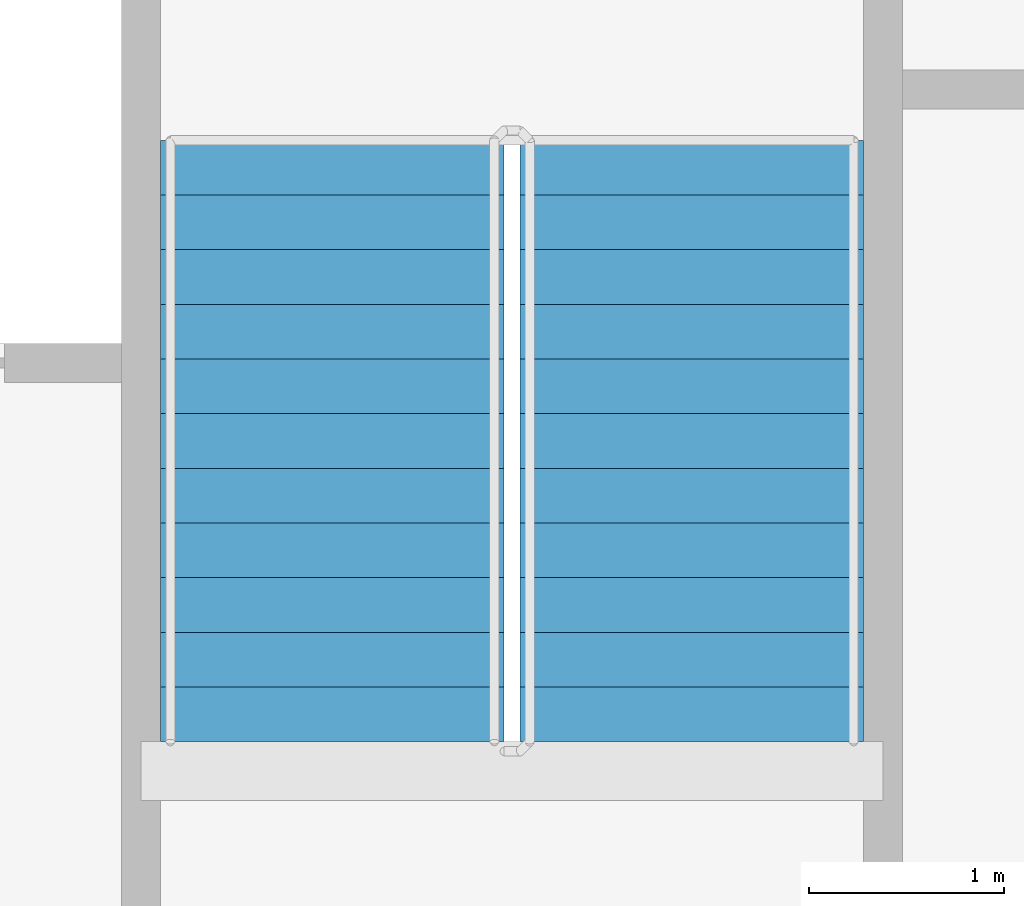
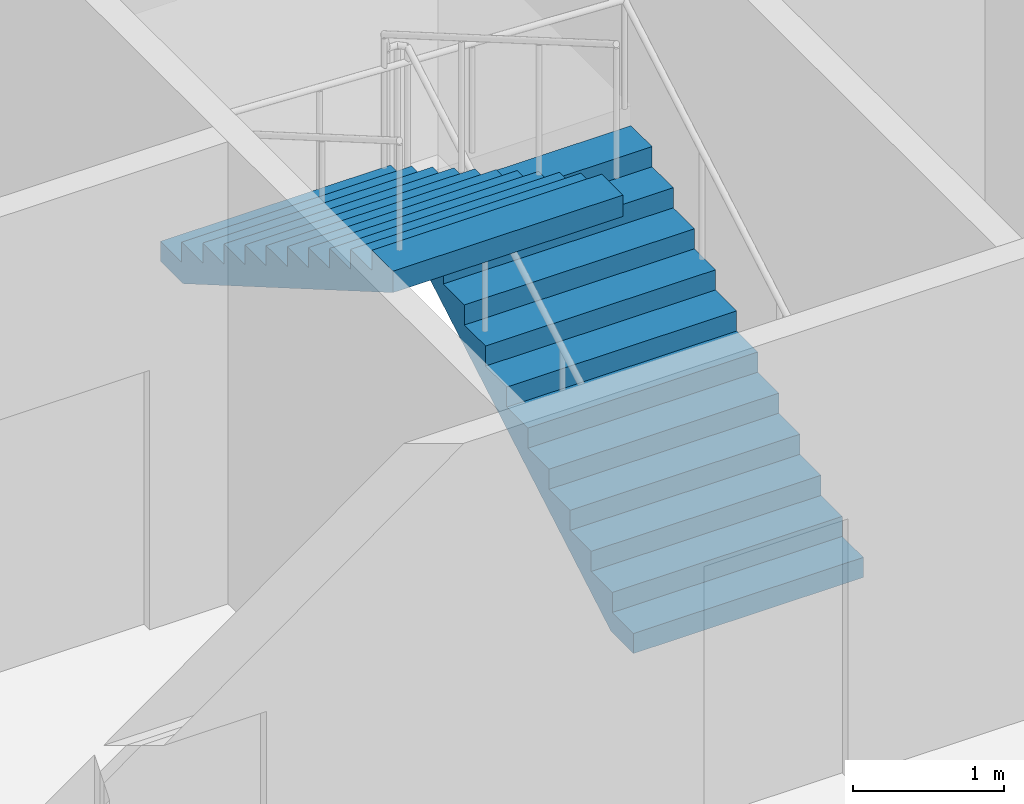
# One storey, part 17 of 22: 2 stair flights, 1 element without a shape of its own.
"""IFC4 building model written with IfcOpenShell, lengths in metres."""

import ifcopenshell
import ifcopenshell.guid

model = None  # the IFC model being written
_history = None  # IfcOwnerHistory: only IFC2X3 demands one
_inside = {}  # id of a spatial element -> (the spatial element, [elements in it])
_under = {}  # id of a project, library or spatial element -> (it, [spatial elements below it])
_declared = {}  # id of a project -> (the project, [libraries it declares])
_typed = {}  # id of a type object -> (the type object, [elements of that type])
_made_of = {}  # id of a material, layer set ... -> (it, [elements and type objects made of it])


def new_model(schema):
    """Start an empty IFC model of exactly this schema.

    Asked for "IFC4X3", IfcOpenShell would pick the latest addendum, in which some entities
    have other attributes; the version numbers below select the first issue.
    IFC2X3 requires an IfcOwnerHistory on every rooted entity: one is made here for all.
    """
    global model, _history
    if schema == "IFC4X3":
        model = ifcopenshell.file(schema_version=(4, 3, 0, 0))
    else:
        model = ifcopenshell.file(schema=schema)
    _inside.clear()
    _under.clear()
    _declared.clear()
    _typed.clear()
    _made_of.clear()
    _history = None
    if model.schema == "IFC2X3":
        org = make("IfcOrganization", Name="unknown")
        user = make(
            "IfcPersonAndOrganization",
            ThePerson=make("IfcPerson", FamilyName="unknown"),
            TheOrganization=org,
        )
        app = make(
            "IfcApplication",
            ApplicationDeveloper=org,
            Version="unknown",
            ApplicationFullName="unknown",
            ApplicationIdentifier="unknown",
        )
        _history = make(
            "IfcOwnerHistory",
            OwningUser=user,
            OwningApplication=app,
            ChangeAction="ADDED",
            CreationDate=0,
        )
    return model


def make(cls, **values):
    """One entity of the class cls with the attributes given. An attribute that is None is left unset."""
    return model.create_entity(
        cls, **{name: value for name, value in values.items() if value is not None}
    )


def rooted(cls, **values):
    """An entity with a GlobalId (a new one), such as an element, a storey or a relation."""
    return make(cls, GlobalId=ifcopenshell.guid.new(), OwnerHistory=_history, **values)


def si_unit(unit_type, name, prefix=None):
    """IfcSIUnit, for example si_unit("LENGTHUNIT", "METRE", prefix="MILLI")."""
    return make("IfcSIUnit", UnitType=unit_type, Prefix=prefix, Name=name)


def assignment(units):
    """IfcUnitAssignment: the units of a project."""
    return None if units is None else make("IfcUnitAssignment", Units=units)


def point(xyz):
    """IfcCartesianPoint."""
    return None if xyz is None else make("IfcCartesianPoint", Coordinates=xyz)


def direction(xyz):
    """IfcDirection."""
    return None if xyz is None else make("IfcDirection", DirectionRatios=xyz)


def frame(location, z_axis=None, x_axis=None):
    """IfcAxis2Placement3D, a coordinate frame: its origin and axes. An axis left out is left unset."""
    return make(
        "IfcAxis2Placement3D",
        Location=point(location),
        Axis=direction(z_axis),
        RefDirection=direction(x_axis),
    )


def origin():
    """The frame at (0, 0, 0) with its axes left unset."""
    return frame((0.0, 0.0, 0.0))


def place(relative_to, where):
    """IfcLocalPlacement: puts the frame where relative to a parent placement (None: the world)."""
    return make(
        "IfcLocalPlacement", PlacementRelTo=relative_to, RelativePlacement=where
    )


def context(
    kind, dimensions, precision=None, world=None, true_north=None, identifier=None
):
    """IfcGeometricRepresentationContext, for example the 3D "Model" context."""
    return make(
        "IfcGeometricRepresentationContext",
        ContextIdentifier=identifier,
        ContextType=kind,
        CoordinateSpaceDimension=dimensions,
        Precision=precision,
        WorldCoordinateSystem=world,
        TrueNorth=true_north,
    )


def subcontext(parent, identifier, kind, view, scale=None):
    """IfcGeometricRepresentationSubContext, for example "Body" below "Model"."""
    return make(
        "IfcGeometricRepresentationSubContext",
        ContextIdentifier=identifier,
        ContextType=kind,
        ParentContext=parent,
        TargetScale=scale,
        TargetView=view,
    )


def project(units=None, contexts=None):
    """IfcProject with its units and contexts."""
    return rooted(
        "IfcProject",
        Name="project",
        RepresentationContexts=contexts,
        UnitsInContext=assignment(units),
    )


def spatial(cls, under=None, at=None, **own):
    """A site, building, storey or space (cls), placed at a placement, below another one or the project."""
    s = rooted(cls, ObjectPlacement=at, **own)
    if under is not None:
        _under.setdefault(under.id(), (under, []))[1].append(s)
    return s


def faces_of(points, faces, orient=None, outer=None):
    """IfcFace entities. A face is a list of loops; a loop is a list of indices into points, from 0.

    orient and outer hold one flag for each loop. By default every Orientation is true, the
    first loop of a face is its IfcFaceOuterBound and the others are IfcFaceBound.
    """
    made = []
    for i, loops in enumerate(faces):
        bounds = []
        for j, loop in enumerate(loops):
            is_outer = j == 0 if outer is None else outer[i][j]
            bounds.append(
                make(
                    "IfcFaceOuterBound" if is_outer else "IfcFaceBound",
                    Bound=make("IfcPolyLoop", Polygon=[points[k] for k in loop]),
                    Orientation=True if orient is None else orient[i][j],
                )
            )
        made.append(make("IfcFace", Bounds=bounds))
    return made


def faceted_brep(points, faces, orient=None, outer=None, voids=None):
    """IfcFacetedBrep: a solid bounded by flat faces; with voids (closed shells), ...WithVoids."""
    shared = [point(p) for p in points]
    hull = make("IfcClosedShell", CfsFaces=faces_of(shared, faces, orient, outer))
    if voids is None:
        return make("IfcFacetedBrep", Outer=hull)
    return make(
        "IfcFacetedBrepWithVoids",
        Outer=hull,
        Voids=[
            make(cls, CfsFaces=faces_of(shared, fs, o, b)) for cls, fs, o, b in voids
        ],
    )


def shape(context_of_items, identifier, shape_type, items):
    """IfcShapeRepresentation: the items that make up one representation, for example the "Body"."""
    return make(
        "IfcShapeRepresentation",
        ContextOfItems=context_of_items,
        RepresentationIdentifier=identifier,
        RepresentationType=shape_type,
        Items=items,
    )


def material(Name=None, Category=None):
    """IfcMaterial."""
    return make("IfcMaterial", Name=Name, Category=Category)


def made_of(thing, what):
    """Note that an element or type object is made of a material, layer set ...; save() writes the relation."""
    if what is not None:
        _made_of.setdefault(what.id(), (what, []))[1].append(thing)
    return thing


def type_object(cls, material=None, **own):
    """A type object (cls), such as IfcWallType, which elements share."""
    return made_of(rooted(cls, **own), material)


def element(
    cls,
    number,
    at=None,
    inside=None,
    cuts=None,
    type_object=None,
    material=None,
    context=None,
    identifier="Body",
    shape_type=None,
    held_by="IfcProductDefinitionShape",
    body=None,
    shapes=None,
    **own,
):
    """One element of the class cls, such as IfcWall. Its Tag is "e" and its number.

    at: its placement. inside: the storey or other place that contains it. cuts: it is an
    opening in that element (IfcRelVoidsElement). A single representation is given by context,
    identifier, shape_type and body (its items); several are given by shapes. held_by: the class
    of the entity that holds the representations. save() writes the other relations.
    """
    e = rooted(cls, Tag="e%d" % number, ObjectPlacement=at, **own)
    if body is not None:
        shapes = [shape(context, identifier, shape_type, body)]
    if shapes is not None:
        e.Representation = make(held_by, Representations=shapes)
    if inside is not None:
        _inside.setdefault(inside.id(), (inside, []))[1].append(e)
    if cuts is not None:
        rooted(
            "IfcRelVoidsElement", RelatingBuildingElement=cuts, RelatedOpeningElement=e
        )
    if type_object is not None:
        _typed.setdefault(type_object.id(), (type_object, []))[1].append(e)
    return made_of(e, material)


def aggregate(whole, parts):
    """IfcRelAggregates: a whole, such as a stair, and the parts it consists of."""
    return rooted("IfcRelAggregates", RelatingObject=whole, RelatedObjects=parts)


def save(model, path):
    """Write the relations noted so far, then the file.

    IfcRelAggregates (storeys below a building ...), IfcRelContainedInSpatialStructure (elements
    in a storey), IfcRelDefinesByType, IfcRelAssociatesMaterial and IfcRelDeclares: one each for
    every whole, place, type object, material and project.
    """
    for whole, parts in _under.values():
        aggregate(whole, parts)
    for where, things in _inside.values():
        rooted(
            "IfcRelContainedInSpatialStructure",
            RelatedElements=things,
            RelatingStructure=where,
        )
    for kind, things in _typed.values():
        rooted("IfcRelDefinesByType", RelatedObjects=things, RelatingType=kind)
    for what, things in _made_of.values():
        rooted("IfcRelAssociatesMaterial", RelatedObjects=things, RelatingMaterial=what)
    for by, libraries in _declared.values():
        rooted("IfcRelDeclares", RelatingContext=by, RelatedDefinitions=libraries)
    model.write(path)


model = new_model("IFC4")

# Units and contexts
model_context = context("Model", 3, precision=1e-05, world=origin(), true_north=direction((0.0, 1.0)))
body_context = subcontext(model_context, "Body", "Model", "MODEL_VIEW")
ifc_project = project(units=[si_unit("LENGTHUNIT", "METRE"), si_unit("AREAUNIT", "SQUARE_METRE"), si_unit("VOLUMEUNIT", "CUBIC_METRE"), si_unit("PLANEANGLEUNIT", "RADIAN"), si_unit("MASSUNIT", "GRAM", prefix="KILO")], contexts=[model_context])

# Site, building, storey
site_placement = place(None, origin())
site = spatial("IfcSite", under=ifc_project, at=site_placement, CompositionType="ELEMENT")
building_placement = place(site_placement, origin())
building = spatial("IfcBuilding", under=site, at=building_placement, Name="Tarsis Ring Headquarters", CompositionType="ELEMENT")
storey_placement = place(building_placement, frame((0.0, 0.0, 71.199951171875)))
storey = spatial("IfcBuildingStorey", under=building, at=storey_placement, Name="L15", CompositionType="ELEMENT", Elevation=71.199951171875)

# Stair, stair flights
ifc_material_1 = material(Name="Core stair 1760")
stair_type = type_object("IfcStairType", Name="Core stair 1760", PredefinedType="HALF_TURN_STAIR", material=ifc_material_1)
stair_placement = place(storey_placement, origin())
stair = element("IfcStair", 1, at=stair_placement, inside=storey, type_object=stair_type, Name="L15 Exit stair B", PredefinedType="HALF_TURN_STAIR")
ifc_material_2 = material(Name="Concrete C40/50", Category="concrete")
stair_flight_type = type_object("IfcStairFlightType", Name="Core stair flight 1760", PredefinedType="STRAIGHT", material=ifc_material_2)
stair_flight_1_placement = place(storey_placement, frame((5.419921875, 3.659912109375, 0.0), z_axis=(0.0, 0.0, 1.0), x_axis=(0.0, 1.0, 0.0)))
stair_flight_1 = element("IfcStairFlight", 2, at=stair_flight_1_placement, type_object=stair_flight_type, Name="Stair ST2 flight 1", NumberOfRisers=12, NumberOfTreads=11, PredefinedType="STRAIGHT", RiserHeight=0.1625, TreadLength=0.28, context=body_context, shape_type="Brep", body=[
    faceted_brep([(0.0, 0.8798828125, 0.0), (0.0, 0.8798828125, 0.16259765625), (0.280029296875, 0.8798828125, 0.16259765625), (0.280029296875, 0.8798828125, 0.324951171875), (0.56005859375, 0.8798828125, 0.324951171875), (0.56005859375, 0.8798828125, 0.487548828125), (0.840087890625, 0.8798828125, 0.487548828125), (0.840087890625, 0.8798828125, 0.64990234375), (1.1201171875, 0.8798828125, 0.64990234375), (1.1201171875, 0.8798828125, 0.8125), (1.39990234375, 0.8798828125, 0.8125), (1.39990234375, 0.8798828125, 0.97509765625), (1.679931640625, 0.8798828125, 0.97509765625), (1.679931640625, 0.8798828125, 1.137451171875), (1.9599609375, 0.8798828125, 1.137451171875), (1.9599609375, 0.8798828125, 1.300048828125), (2.239990234375, 0.8798828125, 1.300048828125), (2.239990234375, 0.8798828125, 1.46240234375), (2.52001953125, 0.8798828125, 1.46240234375), (2.52001953125, 0.8798828125, 1.625), (2.800048828125, 0.8798828125, 1.625), (2.800048828125, 0.8798828125, 1.78759765625), (3.080078125, 0.8798828125, 1.78759765625), (3.080078125, 0.8798828125, 1.6142578125), (0.298583984375, 0.8798828125, 0.0), (0.298583984375, -0.8798828125, 0.0), (3.080078125, -0.8798828125, 1.6142578125), (3.080078125, -0.8798828125, 1.78759765625), (2.800048828125, -0.8798828125, 1.78759765625), (2.800048828125, -0.8798828125, 1.625), (2.52001953125, -0.8798828125, 1.625), (2.52001953125, -0.8798828125, 1.46240234375), (2.239990234375, -0.8798828125, 1.46240234375), (2.239990234375, -0.8798828125, 1.300048828125), (1.9599609375, -0.8798828125, 1.300048828125), (1.9599609375, -0.8798828125, 1.137451171875), (1.679931640625, -0.8798828125, 1.137451171875), (1.679931640625, -0.8798828125, 0.97509765625), (1.39990234375, -0.8798828125, 0.97509765625), (1.39990234375, -0.8798828125, 0.8125), (1.1201171875, -0.8798828125, 0.8125), (1.1201171875, -0.8798828125, 0.64990234375), (0.840087890625, -0.8798828125, 0.64990234375), (0.840087890625, -0.8798828125, 0.487548828125), (0.56005859375, -0.8798828125, 0.487548828125), (0.56005859375, -0.8798828125, 0.324951171875), (0.280029296875, -0.8798828125, 0.324951171875), (0.280029296875, -0.8798828125, 0.16259765625), (0.0, -0.8798828125, 0.16259765625), (0.0, -0.8798828125, 0.0), (0.0, -0.43994140625, 0.16259765625), (0.0, -0.43994140625, 0.0), (0.0, 0.0, 0.16259765625), (0.0, 0.0, 0.0), (0.0, 0.43994140625, 0.16259765625), (0.0, 0.43994140625, 0.0), (0.280029296875, -0.43994140625, 0.16259765625), (0.280029296875, 0.0, 0.16259765625), (0.280029296875, 0.43994140625, 0.16259765625), (0.280029296875, -0.43994140625, 0.324951171875), (0.280029296875, 0.0, 0.324951171875), (0.280029296875, 0.43994140625, 0.324951171875), (0.56005859375, -0.43994140625, 0.324951171875), (0.56005859375, 0.0, 0.324951171875), (0.56005859375, 0.43994140625, 0.324951171875), (0.56005859375, -0.43994140625, 0.487548828125), (0.56005859375, 0.0, 0.487548828125), (0.56005859375, 0.43994140625, 0.487548828125), (0.840087890625, -0.43994140625, 0.487548828125), (0.840087890625, 0.0, 0.487548828125), (0.840087890625, 0.43994140625, 0.487548828125), (0.840087890625, -0.43994140625, 0.64990234375), (0.840087890625, 0.0, 0.64990234375), (0.840087890625, 0.43994140625, 0.64990234375), (1.1201171875, -0.43994140625, 0.64990234375), (1.1201171875, 0.0, 0.64990234375), (1.1201171875, 0.43994140625, 0.64990234375), (1.1201171875, -0.43994140625, 0.8125), (1.1201171875, 0.0, 0.8125), (1.1201171875, 0.43994140625, 0.8125), (1.39990234375, -0.43994140625, 0.8125), (1.39990234375, 0.0, 0.8125), (1.39990234375, 0.43994140625, 0.8125), (1.39990234375, -0.43994140625, 0.97509765625), (1.39990234375, 0.0, 0.97509765625), (1.39990234375, 0.43994140625, 0.97509765625), (1.679931640625, -0.43994140625, 0.97509765625), (1.679931640625, 0.0, 0.97509765625), (1.679931640625, 0.43994140625, 0.97509765625), (1.679931640625, -0.43994140625, 1.137451171875), (1.679931640625, 0.0, 1.137451171875), (1.679931640625, 0.43994140625, 1.137451171875), (1.9599609375, -0.43994140625, 1.137451171875), (1.9599609375, 0.0, 1.137451171875), (1.9599609375, 0.43994140625, 1.137451171875), (1.9599609375, -0.43994140625, 1.300048828125), (1.9599609375, 0.0, 1.300048828125), (1.9599609375, 0.43994140625, 1.300048828125), (2.239990234375, -0.43994140625, 1.300048828125), (2.239990234375, 0.0, 1.300048828125), (2.239990234375, 0.43994140625, 1.300048828125), (2.239990234375, -0.43994140625, 1.46240234375), (2.239990234375, 0.0, 1.46240234375), (2.239990234375, 0.43994140625, 1.46240234375), (2.52001953125, -0.43994140625, 1.46240234375), (2.52001953125, 0.0, 1.46240234375), (2.52001953125, 0.43994140625, 1.46240234375), (2.52001953125, -0.43994140625, 1.625), (2.52001953125, 0.0, 1.625), (2.52001953125, 0.43994140625, 1.625), (2.800048828125, -0.43994140625, 1.625), (2.800048828125, 0.0, 1.625), (2.800048828125, 0.43994140625, 1.625), (2.800048828125, -0.43994140625, 1.78759765625), (2.800048828125, 0.0, 1.78759765625), (2.800048828125, 0.43994140625, 1.78759765625), (3.080078125, -0.43994140625, 1.78759765625), (3.080078125, 0.0, 1.78759765625), (3.080078125, 0.43994140625, 1.78759765625), (3.080078125, -0.43994140625, 1.6142578125), (3.080078125, 0.0, 1.6142578125), (3.080078125, 0.43994140625, 1.6142578125), (0.298583984375, -0.43994140625, 0.0), (0.298583984375, 0.0, 0.0), (0.298583984375, 0.43994140625, 0.0)], [[[0, 1, 2, 3, 4, 5, 6, 7, 8, 9, 10, 11, 12, 13, 14, 15, 16, 17, 18, 19, 20, 21, 22, 23, 24]], [[25, 26, 27, 28, 29, 30, 31, 32, 33, 34, 35, 36, 37, 38, 39, 40, 41, 42, 43, 44, 45, 46, 47, 48, 49]], [[49, 48, 50, 51]], [[51, 50, 52, 53]], [[53, 52, 54, 55]], [[55, 54, 1, 0]], [[48, 47, 56, 50]], [[50, 56, 57, 52]], [[52, 57, 58, 54]], [[54, 58, 2, 1]], [[47, 46, 59, 56]], [[56, 59, 60, 57]], [[57, 60, 61, 58]], [[58, 61, 3, 2]], [[46, 45, 62, 59]], [[59, 62, 63, 60]], [[60, 63, 64, 61]], [[61, 64, 4, 3]], [[45, 44, 65, 62]], [[62, 65, 66, 63]], [[63, 66, 67, 64]], [[64, 67, 5, 4]], [[44, 43, 68, 65]], [[65, 68, 69, 66]], [[66, 69, 70, 67]], [[67, 70, 6, 5]], [[43, 42, 71, 68]], [[68, 71, 72, 69]], [[69, 72, 73, 70]], [[70, 73, 7, 6]], [[42, 41, 74, 71]], [[71, 74, 75, 72]], [[72, 75, 76, 73]], [[73, 76, 8, 7]], [[41, 40, 77, 74]], [[74, 77, 78, 75]], [[75, 78, 79, 76]], [[76, 79, 9, 8]], [[40, 39, 80, 77]], [[77, 80, 81, 78]], [[78, 81, 82, 79]], [[79, 82, 10, 9]], [[39, 38, 83, 80]], [[80, 83, 84, 81]], [[81, 84, 85, 82]], [[82, 85, 11, 10]], [[38, 37, 86, 83]], [[83, 86, 87, 84]], [[84, 87, 88, 85]], [[85, 88, 12, 11]], [[37, 36, 89, 86]], [[86, 89, 90, 87]], [[87, 90, 91, 88]], [[88, 91, 13, 12]], [[36, 35, 92, 89]], [[89, 92, 93, 90]], [[90, 93, 94, 91]], [[91, 94, 14, 13]], [[35, 34, 95, 92]], [[92, 95, 96, 93]], [[93, 96, 97, 94]], [[94, 97, 15, 14]], [[34, 33, 98, 95]], [[95, 98, 99, 96]], [[96, 99, 100, 97]], [[97, 100, 16, 15]], [[33, 32, 101, 98]], [[98, 101, 102, 99]], [[99, 102, 103, 100]], [[100, 103, 17, 16]], [[32, 31, 104, 101]], [[101, 104, 105, 102]], [[102, 105, 106, 103]], [[103, 106, 18, 17]], [[31, 30, 107, 104]], [[104, 107, 108, 105]], [[105, 108, 109, 106]], [[106, 109, 19, 18]], [[30, 29, 110, 107]], [[107, 110, 111, 108]], [[108, 111, 112, 109]], [[109, 112, 20, 19]], [[29, 28, 113, 110]], [[110, 113, 114, 111]], [[111, 114, 115, 112]], [[112, 115, 21, 20]], [[28, 27, 116, 113]], [[113, 116, 117, 114]], [[114, 117, 118, 115]], [[115, 118, 22, 21]], [[27, 26, 119, 116]], [[116, 119, 120, 117]], [[117, 120, 121, 118]], [[118, 121, 23, 22]], [[26, 25, 122, 119]], [[119, 122, 123, 120]], [[120, 123, 124, 121]], [[121, 124, 24, 23]], [[25, 49, 51, 122]], [[122, 51, 53, 123]], [[123, 53, 55, 124]], [[124, 55, 0, 24]]]),
])
stair_flight_2_placement = place(storey_placement, frame((3.580078125, 6.739990234375, 1.949951171875), z_axis=(0.0, 0.0, 1.0), x_axis=(0.0, -1.0, 0.0)))
stair_flight_2 = element("IfcStairFlight", 3, at=stair_flight_2_placement, type_object=stair_flight_type, Name="Stair ST2 flight 2", NumberOfRisers=12, NumberOfTreads=11, PredefinedType="STRAIGHT", RiserHeight=0.1625, TreadLength=0.28, context=body_context, shape_type="Brep", body=[
    faceted_brep([(0.0, 0.8798828125, 0.0), (0.0, 0.8798828125, 0.16259765625), (0.280029296875, 0.8798828125, 0.16259765625), (0.280029296875, 0.8798828125, 0.324951171875), (0.56005859375, 0.8798828125, 0.324951171875), (0.56005859375, 0.8798828125, 0.487548828125), (0.840087890625, 0.8798828125, 0.487548828125), (0.840087890625, 0.8798828125, 0.64990234375), (1.1201171875, 0.8798828125, 0.64990234375), (1.1201171875, 0.8798828125, 0.8125), (1.39990234375, 0.8798828125, 0.8125), (1.39990234375, 0.8798828125, 0.97509765625), (1.679931640625, 0.8798828125, 0.97509765625), (1.679931640625, 0.8798828125, 1.137451171875), (1.9599609375, 0.8798828125, 1.137451171875), (1.9599609375, 0.8798828125, 1.300048828125), (2.239990234375, 0.8798828125, 1.300048828125), (2.239990234375, 0.8798828125, 1.46240234375), (2.52001953125, 0.8798828125, 1.46240234375), (2.52001953125, 0.8798828125, 1.625), (2.800048828125, 0.8798828125, 1.625), (2.800048828125, 0.8798828125, 1.78759765625), (3.080078125, 0.8798828125, 1.78759765625), (3.080078125, 0.8798828125, 1.6142578125), (0.298583984375, 0.8798828125, 0.0), (0.298583984375, -0.8798828125, 0.0), (3.080078125, -0.8798828125, 1.6142578125), (3.080078125, -0.8798828125, 1.78759765625), (2.800048828125, -0.8798828125, 1.78759765625), (2.800048828125, -0.8798828125, 1.625), (2.52001953125, -0.8798828125, 1.625), (2.52001953125, -0.8798828125, 1.46240234375), (2.239990234375, -0.8798828125, 1.46240234375), (2.239990234375, -0.8798828125, 1.300048828125), (1.9599609375, -0.8798828125, 1.300048828125), (1.9599609375, -0.8798828125, 1.137451171875), (1.679931640625, -0.8798828125, 1.137451171875), (1.679931640625, -0.8798828125, 0.97509765625), (1.39990234375, -0.8798828125, 0.97509765625), (1.39990234375, -0.8798828125, 0.8125), (1.1201171875, -0.8798828125, 0.8125), (1.1201171875, -0.8798828125, 0.64990234375), (0.840087890625, -0.8798828125, 0.64990234375), (0.840087890625, -0.8798828125, 0.487548828125), (0.56005859375, -0.8798828125, 0.487548828125), (0.56005859375, -0.8798828125, 0.324951171875), (0.280029296875, -0.8798828125, 0.324951171875), (0.280029296875, -0.8798828125, 0.16259765625), (0.0, -0.8798828125, 0.16259765625), (0.0, -0.8798828125, 0.0), (0.0, -0.43994140625, 0.16259765625), (0.0, -0.43994140625, 0.0), (0.0, 0.0, 0.16259765625), (0.0, 0.0, 0.0), (0.0, 0.43994140625, 0.16259765625), (0.0, 0.43994140625, 0.0), (0.280029296875, -0.43994140625, 0.16259765625), (0.280029296875, 0.0, 0.16259765625), (0.280029296875, 0.43994140625, 0.16259765625), (0.280029296875, -0.43994140625, 0.324951171875), (0.280029296875, 0.0, 0.324951171875), (0.280029296875, 0.43994140625, 0.324951171875), (0.56005859375, -0.43994140625, 0.324951171875), (0.56005859375, 0.0, 0.324951171875), (0.56005859375, 0.43994140625, 0.324951171875), (0.56005859375, -0.43994140625, 0.487548828125), (0.56005859375, 0.0, 0.487548828125), (0.56005859375, 0.43994140625, 0.487548828125), (0.840087890625, -0.43994140625, 0.487548828125), (0.840087890625, 0.0, 0.487548828125), (0.840087890625, 0.43994140625, 0.487548828125), (0.840087890625, -0.43994140625, 0.64990234375), (0.840087890625, 0.0, 0.64990234375), (0.840087890625, 0.43994140625, 0.64990234375), (1.1201171875, -0.43994140625, 0.64990234375), (1.1201171875, 0.0, 0.64990234375), (1.1201171875, 0.43994140625, 0.64990234375), (1.1201171875, -0.43994140625, 0.8125), (1.1201171875, 0.0, 0.8125), (1.1201171875, 0.43994140625, 0.8125), (1.39990234375, -0.43994140625, 0.8125), (1.39990234375, 0.0, 0.8125), (1.39990234375, 0.43994140625, 0.8125), (1.39990234375, -0.43994140625, 0.97509765625), (1.39990234375, 0.0, 0.97509765625), (1.39990234375, 0.43994140625, 0.97509765625), (1.679931640625, -0.43994140625, 0.97509765625), (1.679931640625, 0.0, 0.97509765625), (1.679931640625, 0.43994140625, 0.97509765625), (1.679931640625, -0.43994140625, 1.137451171875), (1.679931640625, 0.0, 1.137451171875), (1.679931640625, 0.43994140625, 1.137451171875), (1.9599609375, -0.43994140625, 1.137451171875), (1.9599609375, 0.0, 1.137451171875), (1.9599609375, 0.43994140625, 1.137451171875), (1.9599609375, -0.43994140625, 1.300048828125), (1.9599609375, 0.0, 1.300048828125), (1.9599609375, 0.43994140625, 1.300048828125), (2.239990234375, -0.43994140625, 1.300048828125), (2.239990234375, 0.0, 1.300048828125), (2.239990234375, 0.43994140625, 1.300048828125), (2.239990234375, -0.43994140625, 1.46240234375), (2.239990234375, 0.0, 1.46240234375), (2.239990234375, 0.43994140625, 1.46240234375), (2.52001953125, -0.43994140625, 1.46240234375), (2.52001953125, 0.0, 1.46240234375), (2.52001953125, 0.43994140625, 1.46240234375), (2.52001953125, -0.43994140625, 1.625), (2.52001953125, 0.0, 1.625), (2.52001953125, 0.43994140625, 1.625), (2.800048828125, -0.43994140625, 1.625), (2.800048828125, 0.0, 1.625), (2.800048828125, 0.43994140625, 1.625), (2.800048828125, -0.43994140625, 1.78759765625), (2.800048828125, 0.0, 1.78759765625), (2.800048828125, 0.43994140625, 1.78759765625), (3.080078125, -0.43994140625, 1.78759765625), (3.080078125, 0.0, 1.78759765625), (3.080078125, 0.43994140625, 1.78759765625), (3.080078125, -0.43994140625, 1.6142578125), (3.080078125, 0.0, 1.6142578125), (3.080078125, 0.43994140625, 1.6142578125), (0.298583984375, -0.43994140625, 0.0), (0.298583984375, 0.0, 0.0), (0.298583984375, 0.43994140625, 0.0)], [[[0, 1, 2, 3, 4, 5, 6, 7, 8, 9, 10, 11, 12, 13, 14, 15, 16, 17, 18, 19, 20, 21, 22, 23, 24]], [[25, 26, 27, 28, 29, 30, 31, 32, 33, 34, 35, 36, 37, 38, 39, 40, 41, 42, 43, 44, 45, 46, 47, 48, 49]], [[49, 48, 50, 51]], [[51, 50, 52, 53]], [[53, 52, 54, 55]], [[55, 54, 1, 0]], [[48, 47, 56, 50]], [[50, 56, 57, 52]], [[52, 57, 58, 54]], [[54, 58, 2, 1]], [[47, 46, 59, 56]], [[56, 59, 60, 57]], [[57, 60, 61, 58]], [[58, 61, 3, 2]], [[46, 45, 62, 59]], [[59, 62, 63, 60]], [[60, 63, 64, 61]], [[61, 64, 4, 3]], [[45, 44, 65, 62]], [[62, 65, 66, 63]], [[63, 66, 67, 64]], [[64, 67, 5, 4]], [[44, 43, 68, 65]], [[65, 68, 69, 66]], [[66, 69, 70, 67]], [[67, 70, 6, 5]], [[43, 42, 71, 68]], [[68, 71, 72, 69]], [[69, 72, 73, 70]], [[70, 73, 7, 6]], [[42, 41, 74, 71]], [[71, 74, 75, 72]], [[72, 75, 76, 73]], [[73, 76, 8, 7]], [[41, 40, 77, 74]], [[74, 77, 78, 75]], [[75, 78, 79, 76]], [[76, 79, 9, 8]], [[40, 39, 80, 77]], [[77, 80, 81, 78]], [[78, 81, 82, 79]], [[79, 82, 10, 9]], [[39, 38, 83, 80]], [[80, 83, 84, 81]], [[81, 84, 85, 82]], [[82, 85, 11, 10]], [[38, 37, 86, 83]], [[83, 86, 87, 84]], [[84, 87, 88, 85]], [[85, 88, 12, 11]], [[37, 36, 89, 86]], [[86, 89, 90, 87]], [[87, 90, 91, 88]], [[88, 91, 13, 12]], [[36, 35, 92, 89]], [[89, 92, 93, 90]], [[90, 93, 94, 91]], [[91, 94, 14, 13]], [[35, 34, 95, 92]], [[92, 95, 96, 93]], [[93, 96, 97, 94]], [[94, 97, 15, 14]], [[34, 33, 98, 95]], [[95, 98, 99, 96]], [[96, 99, 100, 97]], [[97, 100, 16, 15]], [[33, 32, 101, 98]], [[98, 101, 102, 99]], [[99, 102, 103, 100]], [[100, 103, 17, 16]], [[32, 31, 104, 101]], [[101, 104, 105, 102]], [[102, 105, 106, 103]], [[103, 106, 18, 17]], [[31, 30, 107, 104]], [[104, 107, 108, 105]], [[105, 108, 109, 106]], [[106, 109, 19, 18]], [[30, 29, 110, 107]], [[107, 110, 111, 108]], [[108, 111, 112, 109]], [[109, 112, 20, 19]], [[29, 28, 113, 110]], [[110, 113, 114, 111]], [[111, 114, 115, 112]], [[112, 115, 21, 20]], [[28, 27, 116, 113]], [[113, 116, 117, 114]], [[114, 117, 118, 115]], [[115, 118, 22, 21]], [[27, 26, 119, 116]], [[116, 119, 120, 117]], [[117, 120, 121, 118]], [[118, 121, 23, 22]], [[26, 25, 122, 119]], [[119, 122, 123, 120]], [[120, 123, 124, 121]], [[121, 124, 24, 23]], [[25, 49, 51, 122]], [[122, 51, 53, 123]], [[123, 53, 55, 124]], [[124, 55, 0, 24]]]),
])
aggregate(stair, [stair_flight_1, stair_flight_2])

save(model, "model.ifc")
